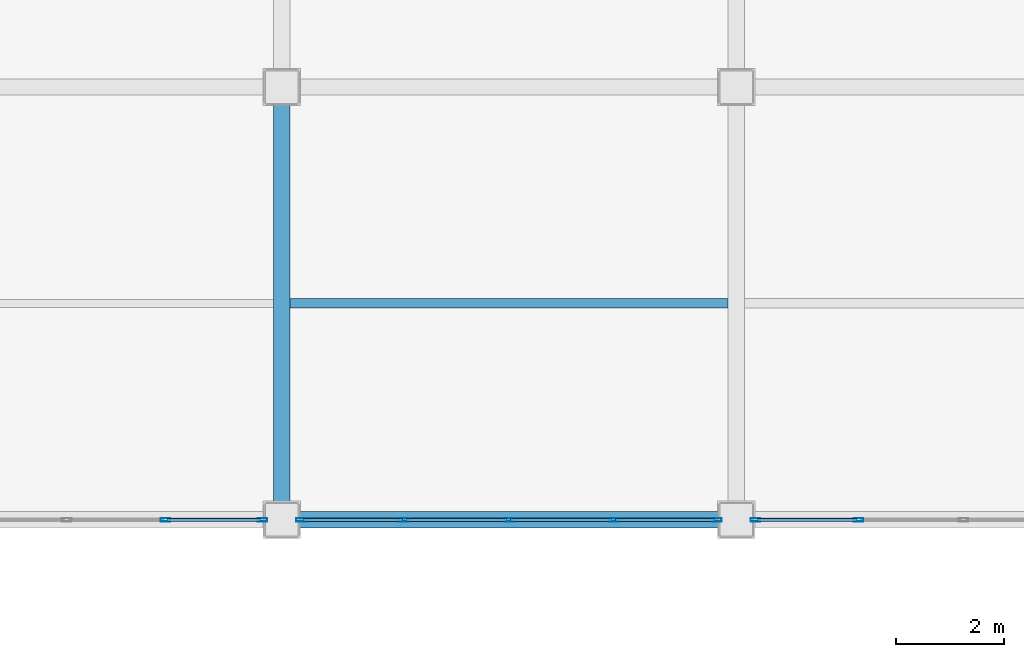
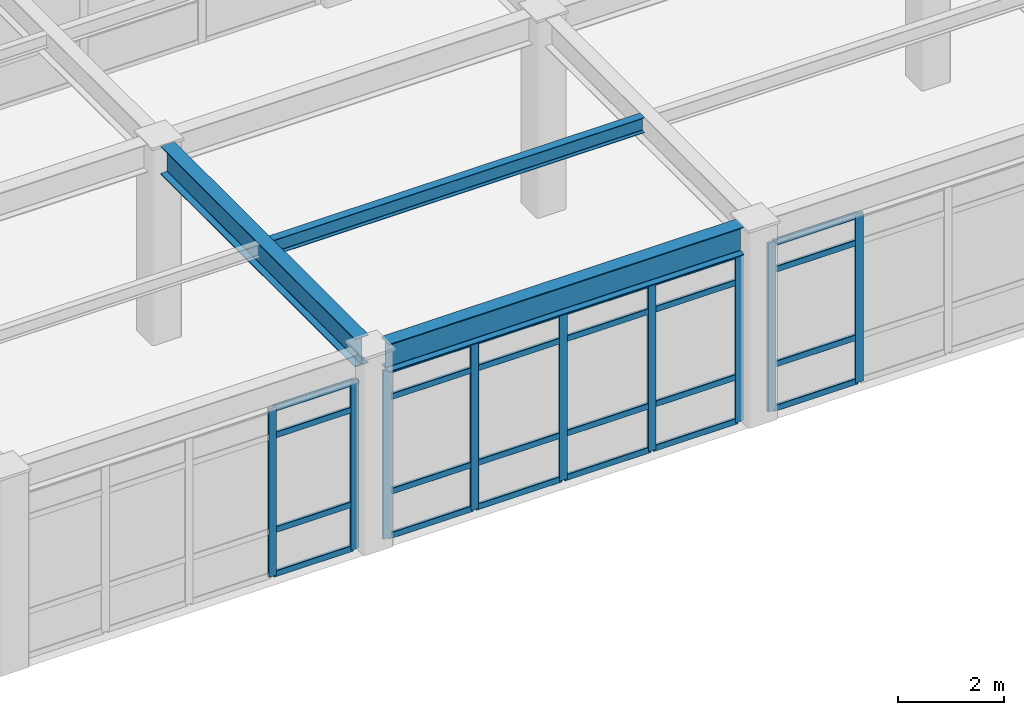
# One storey, part 29 of 93: 33 members, 3 beams, 3 elements without a shape of their own.
"""IFC4 building model written with IfcOpenShell, lengths in metres."""

from ifc_helpers import new_model, si_unit, direction, frame, origin, origin_2d, place, context, subcontext, project, spatial, hollow_rectangle, i_section, extrude, material, layer, layer_set, material_profile, profile_set, type_object, element, aggregate, save


model = new_model("IFC4")

# Units and contexts
model_context = context("Model", 3, precision=1e-05, world=origin(), true_north=direction((0.0, 1.0)))
body_context = subcontext(model_context, "Body", "Model", "MODEL_VIEW")
ifc_project = project(units=[si_unit("LENGTHUNIT", "METRE"), si_unit("AREAUNIT", "SQUARE_METRE"), si_unit("VOLUMEUNIT", "CUBIC_METRE"), si_unit("PLANEANGLEUNIT", "RADIAN"), si_unit("MASSUNIT", "GRAM", prefix="KILO")], contexts=[model_context])

# Site, building, storey
site_placement = place(None, origin())
site = spatial("IfcSite", under=ifc_project, at=site_placement, CompositionType="ELEMENT")
building_placement = place(site_placement, origin())
building = spatial("IfcBuilding", under=site, at=building_placement, Name="Kazehara Bluff Congress Hotel", CompositionType="ELEMENT")
storey_placement = place(building_placement, frame((0.0, 0.0, 15.0)))
storey = spatial("IfcBuildingStorey", under=building, at=storey_placement, Name="L03", CompositionType="ELEMENT", Elevation=15.0)

# Curtain wall, members
ifc_material_1 = material(Name="Anodised aluminium", Category="aluminium")
ifc_layer_1 = layer(ifc_material_1, 0.159912109375)
ifc_layer_set_1 = layer_set([ifc_layer_1], Name="Anodised aluminium")
curtain_wall_type_1 = type_object("IfcCurtainWallType", Name="TP-CW-80", PredefinedType="NOTDEFINED", material=ifc_layer_set_1)
curtain_wall_1_placement = place(storey_placement, origin())
curtain_wall_1 = element("IfcCurtainWall", 1, at=curtain_wall_1_placement, inside=storey, type_object=curtain_wall_type_1, Name="L03 curtain wall CW-80 CW-V5-L03-Y1600-11088", PredefinedType="NOTDEFINED")
ifc_material_2 = material(Name="Anodised aluminium", Category="aluminium")
ifc_material_profile_1 = material_profile(ifc_material_2, hollow_rectangle(XDim=0.06494140625, YDim=0.179931640625, WallThickness=0.00390625, InnerFilletRadius=0.00390625, OuterFilletRadius=0.008056640625, at=origin_2d()))
ifc_profile_set_1 = profile_set([ifc_material_profile_1], Name="Anodised aluminium")
member_type_1 = type_object("IfcMemberType", Name="TP-CWM-02", PredefinedType="MULLION", material=ifc_profile_set_1)
member_1_placement = place(storey_placement, frame((116.35009765625, 16.0, 0.0), z_axis=(0.0, 0.0, 1.0), x_axis=(0.0, 1.0, 0.0)))
member_1 = element("IfcMember", 2, at=member_1_placement, type_object=member_type_1, Name="CW-80 mullion 4", PredefinedType="MULLION", context=body_context, shape_type="SweptSolid", body=[
    extrude(hollow_rectangle(XDim=0.06494140625, YDim=0.179931640625, WallThickness=0.00390625, InnerFilletRadius=0.00390625, OuterFilletRadius=0.008056640625, at=origin_2d()), origin(), (0.0, 0.0, 1.0), 3.885009765625),
])
member_2_placement = place(storey_placement, frame((118.142578125, 16.0, 0.0), z_axis=(0.0, 0.0, 1.0), x_axis=(0.0, 1.0, 0.0)))
member_2 = element("IfcMember", 3, at=member_2_placement, type_object=member_type_1, Name="CW-80 mullion 5", PredefinedType="MULLION", context=body_context, shape_type="SweptSolid", body=[
    extrude(hollow_rectangle(XDim=0.06494140625, YDim=0.179931640625, WallThickness=0.00390625, InnerFilletRadius=0.00390625, OuterFilletRadius=0.008056640625, at=origin_2d()), origin(), (0.0, 0.0, 1.0), 3.885009765625),
])

ifc_material_3 = material(Name="Anodised aluminium", Category="aluminium")
ifc_layer_2 = layer(ifc_material_3, 0.159912109375)
ifc_layer_set_2 = layer_set([ifc_layer_2], Name="Anodised aluminium")
curtain_wall_type_2 = type_object("IfcCurtainWallType", Name="TP-CW-24", PredefinedType="NOTDEFINED", material=ifc_layer_set_2)
curtain_wall_2_placement = place(storey_placement, origin())
curtain_wall_2 = element("IfcCurtainWall", 4, at=curtain_wall_2_placement, inside=storey, type_object=curtain_wall_type_2, Name="L03 curtain wall CW-24 CW-V5-L03-Y1600-11882", PredefinedType="NOTDEFINED")
member_3_placement = place(storey_placement, frame((118.857421875, 16.0, 0.0), z_axis=(0.0, 0.0, 1.0), x_axis=(0.0, 1.0, 0.0)))
member_3 = element("IfcMember", 5, at=member_3_placement, type_object=member_type_1, Name="CW-24 mullion 1", PredefinedType="MULLION", context=body_context, shape_type="SweptSolid", body=[
    extrude(hollow_rectangle(XDim=0.06494140625, YDim=0.179931640625, WallThickness=0.00390625, InnerFilletRadius=0.00390625, OuterFilletRadius=0.008056640625, at=origin_2d()), origin(), (0.0, 0.0, 1.0), 3.885009765625),
])
member_4_placement = place(storey_placement, frame((120.762451171875, 16.0, 0.0), z_axis=(0.0, 0.0, 1.0), x_axis=(0.0, 1.0, 0.0)))
member_4 = element("IfcMember", 6, at=member_4_placement, type_object=member_type_1, Name="CW-24 mullion 2", PredefinedType="MULLION", context=body_context, shape_type="SweptSolid", body=[
    extrude(hollow_rectangle(XDim=0.06494140625, YDim=0.179931640625, WallThickness=0.00390625, InnerFilletRadius=0.00390625, OuterFilletRadius=0.008056640625, at=origin_2d()), origin(), (0.0, 0.0, 1.0), 3.885009765625),
])
member_5_placement = place(storey_placement, frame((122.699951171875, 16.0, 0.0), z_axis=(0.0, 0.0, 1.0), x_axis=(0.0, 1.0, 0.0)))
member_5 = element("IfcMember", 7, at=member_5_placement, type_object=member_type_1, Name="CW-24 mullion 3", PredefinedType="MULLION", context=body_context, shape_type="SweptSolid", body=[
    extrude(hollow_rectangle(XDim=0.06494140625, YDim=0.179931640625, WallThickness=0.00390625, InnerFilletRadius=0.00390625, OuterFilletRadius=0.008056640625, at=origin_2d()), origin(), (0.0, 0.0, 1.0), 3.885009765625),
])
member_6_placement = place(storey_placement, frame((124.637451171875, 16.0, 0.0), z_axis=(0.0, 0.0, 1.0), x_axis=(0.0, 1.0, 0.0)))
member_6 = element("IfcMember", 8, at=member_6_placement, type_object=member_type_1, Name="CW-24 mullion 4", PredefinedType="MULLION", context=body_context, shape_type="SweptSolid", body=[
    extrude(hollow_rectangle(XDim=0.06494140625, YDim=0.179931640625, WallThickness=0.00390625, InnerFilletRadius=0.00390625, OuterFilletRadius=0.008056640625, at=origin_2d()), origin(), (0.0, 0.0, 1.0), 3.885009765625),
])
member_7_placement = place(storey_placement, frame((126.54248046875, 16.0, 0.0), z_axis=(0.0, 0.0, 1.0), x_axis=(0.0, 1.0, 0.0)))
member_7 = element("IfcMember", 9, at=member_7_placement, type_object=member_type_1, Name="CW-24 mullion 5", PredefinedType="MULLION", context=body_context, shape_type="SweptSolid", body=[
    extrude(hollow_rectangle(XDim=0.06494140625, YDim=0.179931640625, WallThickness=0.00390625, InnerFilletRadius=0.00390625, OuterFilletRadius=0.008056640625, at=origin_2d()), origin(), (0.0, 0.0, 1.0), 3.885009765625),
])

curtain_wall_3_placement = place(storey_placement, origin())
curtain_wall_3 = element("IfcCurtainWall", 10, at=curtain_wall_3_placement, inside=storey, type_object=curtain_wall_type_2, Name="L03 curtain wall CW-24 CW-V5-L03-Y1600-12722", PredefinedType="NOTDEFINED")
member_8_placement = place(storey_placement, frame((127.257568359375, 16.0, 0.0), z_axis=(0.0, 0.0, 1.0), x_axis=(0.0, 1.0, 0.0)))
member_8 = element("IfcMember", 11, at=member_8_placement, type_object=member_type_1, Name="CW-24 mullion 1", PredefinedType="MULLION", context=body_context, shape_type="SweptSolid", body=[
    extrude(hollow_rectangle(XDim=0.06494140625, YDim=0.179931640625, WallThickness=0.00390625, InnerFilletRadius=0.00390625, OuterFilletRadius=0.008056640625, at=origin_2d()), origin(), (0.0, 0.0, 1.0), 3.885009765625),
])
member_9_placement = place(storey_placement, frame((129.16259765625, 16.0, 0.0), z_axis=(0.0, 0.0, 1.0), x_axis=(0.0, 1.0, 0.0)))
member_9 = element("IfcMember", 12, at=member_9_placement, type_object=member_type_1, Name="CW-24 mullion 2", PredefinedType="MULLION", context=body_context, shape_type="SweptSolid", body=[
    extrude(hollow_rectangle(XDim=0.06494140625, YDim=0.179931640625, WallThickness=0.00390625, InnerFilletRadius=0.00390625, OuterFilletRadius=0.008056640625, at=origin_2d()), origin(), (0.0, 0.0, 1.0), 3.885009765625),
])

# Member
ifc_material_4 = material(Name="Anodised aluminium", Category="aluminium")
ifc_material_profile_2 = material_profile(ifc_material_4, hollow_rectangle(XDim=0.06494140625, YDim=0.139892578125, WallThickness=0.00390625, InnerFilletRadius=0.00390625, OuterFilletRadius=0.008056640625, at=origin_2d()))
ifc_profile_set_2 = profile_set([ifc_material_profile_2], Name="Anodised aluminium")
member_type_2 = type_object("IfcMemberType", Name="TP-CWT-02", PredefinedType="USERDEFINED", material=ifc_profile_set_2)
member_10_placement = place(storey_placement, frame((116.382568359375, 16.0, 0.032470703125), z_axis=(1.0, 0.0, 0.0), x_axis=(0.0, 1.0, 0.0)))
member_10 = element("IfcMember", 13, at=member_10_placement, type_object=member_type_2, Name="CW-80 transom 4.1", ObjectType="TRANSOM", PredefinedType="USERDEFINED", context=body_context, shape_type="SweptSolid", body=[
    extrude(hollow_rectangle(XDim=0.06494140625, YDim=0.139892578125, WallThickness=0.00390625, InnerFilletRadius=0.00390625, OuterFilletRadius=0.008056640625, at=origin_2d()), origin(), (0.0, 0.0, 1.0), 1.7275390625),
])

member_11_placement = place(storey_placement, frame((116.382568359375, 16.0, 1.050048828125), z_axis=(1.0, 0.0, 0.0), x_axis=(0.0, 1.0, 0.0)))
member_11 = element("IfcMember", 14, at=member_11_placement, type_object=member_type_2, Name="CW-80 transom 4.2", ObjectType="TRANSOM", PredefinedType="USERDEFINED", context=body_context, shape_type="SweptSolid", body=[
    extrude(hollow_rectangle(XDim=0.06494140625, YDim=0.139892578125, WallThickness=0.00390625, InnerFilletRadius=0.00390625, OuterFilletRadius=0.008056640625, at=origin_2d()), origin(), (0.0, 0.0, 1.0), 1.7275390625),
])

member_12_placement = place(storey_placement, frame((116.382568359375, 16.0, 3.235107421875), z_axis=(1.0, 0.0, 0.0), x_axis=(0.0, 1.0, 0.0)))
member_12 = element("IfcMember", 15, at=member_12_placement, type_object=member_type_2, Name="CW-80 transom 4.3", ObjectType="TRANSOM", PredefinedType="USERDEFINED", context=body_context, shape_type="SweptSolid", body=[
    extrude(hollow_rectangle(XDim=0.06494140625, YDim=0.139892578125, WallThickness=0.00390625, InnerFilletRadius=0.00390625, OuterFilletRadius=0.008056640625, at=origin_2d()), origin(), (0.0, 0.0, 1.0), 1.7275390625),
])

member_13_placement = place(storey_placement, frame((116.382568359375, 16.0, 3.8525390625), z_axis=(1.0, 0.0, 0.0), x_axis=(0.0, 1.0, 0.0)))
member_13 = element("IfcMember", 16, at=member_13_placement, type_object=member_type_2, Name="CW-80 transom 4.4", ObjectType="TRANSOM", PredefinedType="USERDEFINED", context=body_context, shape_type="SweptSolid", body=[
    extrude(hollow_rectangle(XDim=0.06494140625, YDim=0.139892578125, WallThickness=0.00390625, InnerFilletRadius=0.00390625, OuterFilletRadius=0.008056640625, at=origin_2d()), origin(), (0.0, 0.0, 1.0), 1.7275390625),
])

aggregate(curtain_wall_1, [member_1, member_2, member_10, member_11, member_12, member_13])

member_14_placement = place(storey_placement, frame((118.889892578125, 16.0, 0.032470703125), z_axis=(1.0, 0.0, 0.0), x_axis=(0.0, 1.0, 0.0)))
member_14 = element("IfcMember", 17, at=member_14_placement, type_object=member_type_2, Name="CW-24 transom 1.1", ObjectType="TRANSOM", PredefinedType="USERDEFINED", context=body_context, shape_type="SweptSolid", body=[
    extrude(hollow_rectangle(XDim=0.06494140625, YDim=0.139892578125, WallThickness=0.00390625, InnerFilletRadius=0.00390625, OuterFilletRadius=0.008056640625, at=origin_2d()), origin(), (0.0, 0.0, 1.0), 1.840087890625),
])

member_15_placement = place(storey_placement, frame((118.889892578125, 16.0, 1.050048828125), z_axis=(1.0, 0.0, 0.0), x_axis=(0.0, 1.0, 0.0)))
member_15 = element("IfcMember", 18, at=member_15_placement, type_object=member_type_2, Name="CW-24 transom 1.2", ObjectType="TRANSOM", PredefinedType="USERDEFINED", context=body_context, shape_type="SweptSolid", body=[
    extrude(hollow_rectangle(XDim=0.06494140625, YDim=0.139892578125, WallThickness=0.00390625, InnerFilletRadius=0.00390625, OuterFilletRadius=0.008056640625, at=origin_2d()), origin(), (0.0, 0.0, 1.0), 1.840087890625),
])

member_16_placement = place(storey_placement, frame((118.889892578125, 16.0, 3.235107421875), z_axis=(1.0, 0.0, 0.0), x_axis=(0.0, 1.0, 0.0)))
member_16 = element("IfcMember", 19, at=member_16_placement, type_object=member_type_2, Name="CW-24 transom 1.3", ObjectType="TRANSOM", PredefinedType="USERDEFINED", context=body_context, shape_type="SweptSolid", body=[
    extrude(hollow_rectangle(XDim=0.06494140625, YDim=0.139892578125, WallThickness=0.00390625, InnerFilletRadius=0.00390625, OuterFilletRadius=0.008056640625, at=origin_2d()), origin(), (0.0, 0.0, 1.0), 1.840087890625),
])

member_17_placement = place(storey_placement, frame((118.889892578125, 16.0, 3.8525390625), z_axis=(1.0, 0.0, 0.0), x_axis=(0.0, 1.0, 0.0)))
member_17 = element("IfcMember", 20, at=member_17_placement, type_object=member_type_2, Name="CW-24 transom 1.4", ObjectType="TRANSOM", PredefinedType="USERDEFINED", context=body_context, shape_type="SweptSolid", body=[
    extrude(hollow_rectangle(XDim=0.06494140625, YDim=0.139892578125, WallThickness=0.00390625, InnerFilletRadius=0.00390625, OuterFilletRadius=0.008056640625, at=origin_2d()), origin(), (0.0, 0.0, 1.0), 1.840087890625),
])

member_18_placement = place(storey_placement, frame((120.794921875, 16.0, 0.032470703125), z_axis=(1.0, 0.0, 0.0), x_axis=(0.0, 1.0, 0.0)))
member_18 = element("IfcMember", 21, at=member_18_placement, type_object=member_type_2, Name="CW-24 transom 2.1", ObjectType="TRANSOM", PredefinedType="USERDEFINED", context=body_context, shape_type="SweptSolid", body=[
    extrude(hollow_rectangle(XDim=0.06494140625, YDim=0.139892578125, WallThickness=0.00390625, InnerFilletRadius=0.00390625, OuterFilletRadius=0.008056640625, at=origin_2d()), origin(), (0.0, 0.0, 1.0), 1.87255859375),
])

member_19_placement = place(storey_placement, frame((120.794921875, 16.0, 1.050048828125), z_axis=(1.0, 0.0, 0.0), x_axis=(0.0, 1.0, 0.0)))
member_19 = element("IfcMember", 22, at=member_19_placement, type_object=member_type_2, Name="CW-24 transom 2.2", ObjectType="TRANSOM", PredefinedType="USERDEFINED", context=body_context, shape_type="SweptSolid", body=[
    extrude(hollow_rectangle(XDim=0.06494140625, YDim=0.139892578125, WallThickness=0.00390625, InnerFilletRadius=0.00390625, OuterFilletRadius=0.008056640625, at=origin_2d()), origin(), (0.0, 0.0, 1.0), 1.87255859375),
])

member_20_placement = place(storey_placement, frame((120.794921875, 16.0, 3.235107421875), z_axis=(1.0, 0.0, 0.0), x_axis=(0.0, 1.0, 0.0)))
member_20 = element("IfcMember", 23, at=member_20_placement, type_object=member_type_2, Name="CW-24 transom 2.3", ObjectType="TRANSOM", PredefinedType="USERDEFINED", context=body_context, shape_type="SweptSolid", body=[
    extrude(hollow_rectangle(XDim=0.06494140625, YDim=0.139892578125, WallThickness=0.00390625, InnerFilletRadius=0.00390625, OuterFilletRadius=0.008056640625, at=origin_2d()), origin(), (0.0, 0.0, 1.0), 1.87255859375),
])

member_21_placement = place(storey_placement, frame((120.794921875, 16.0, 3.8525390625), z_axis=(1.0, 0.0, 0.0), x_axis=(0.0, 1.0, 0.0)))
member_21 = element("IfcMember", 24, at=member_21_placement, type_object=member_type_2, Name="CW-24 transom 2.4", ObjectType="TRANSOM", PredefinedType="USERDEFINED", context=body_context, shape_type="SweptSolid", body=[
    extrude(hollow_rectangle(XDim=0.06494140625, YDim=0.139892578125, WallThickness=0.00390625, InnerFilletRadius=0.00390625, OuterFilletRadius=0.008056640625, at=origin_2d()), origin(), (0.0, 0.0, 1.0), 1.87255859375),
])

member_22_placement = place(storey_placement, frame((122.732421875, 16.0, 0.032470703125), z_axis=(1.0, 0.0, 0.0), x_axis=(0.0, 1.0, 0.0)))
member_22 = element("IfcMember", 25, at=member_22_placement, type_object=member_type_2, Name="CW-24 transom 3.1", ObjectType="TRANSOM", PredefinedType="USERDEFINED", context=body_context, shape_type="SweptSolid", body=[
    extrude(hollow_rectangle(XDim=0.06494140625, YDim=0.139892578125, WallThickness=0.00390625, InnerFilletRadius=0.00390625, OuterFilletRadius=0.008056640625, at=origin_2d()), origin(), (0.0, 0.0, 1.0), 1.87255859375),
])

member_23_placement = place(storey_placement, frame((122.732421875, 16.0, 1.050048828125), z_axis=(1.0, 0.0, 0.0), x_axis=(0.0, 1.0, 0.0)))
member_23 = element("IfcMember", 26, at=member_23_placement, type_object=member_type_2, Name="CW-24 transom 3.2", ObjectType="TRANSOM", PredefinedType="USERDEFINED", context=body_context, shape_type="SweptSolid", body=[
    extrude(hollow_rectangle(XDim=0.06494140625, YDim=0.139892578125, WallThickness=0.00390625, InnerFilletRadius=0.00390625, OuterFilletRadius=0.008056640625, at=origin_2d()), origin(), (0.0, 0.0, 1.0), 1.87255859375),
])

member_24_placement = place(storey_placement, frame((122.732421875, 16.0, 3.235107421875), z_axis=(1.0, 0.0, 0.0), x_axis=(0.0, 1.0, 0.0)))
member_24 = element("IfcMember", 27, at=member_24_placement, type_object=member_type_2, Name="CW-24 transom 3.3", ObjectType="TRANSOM", PredefinedType="USERDEFINED", context=body_context, shape_type="SweptSolid", body=[
    extrude(hollow_rectangle(XDim=0.06494140625, YDim=0.139892578125, WallThickness=0.00390625, InnerFilletRadius=0.00390625, OuterFilletRadius=0.008056640625, at=origin_2d()), origin(), (0.0, 0.0, 1.0), 1.87255859375),
])

member_25_placement = place(storey_placement, frame((122.732421875, 16.0, 3.8525390625), z_axis=(1.0, 0.0, 0.0), x_axis=(0.0, 1.0, 0.0)))
member_25 = element("IfcMember", 28, at=member_25_placement, type_object=member_type_2, Name="CW-24 transom 3.4", ObjectType="TRANSOM", PredefinedType="USERDEFINED", context=body_context, shape_type="SweptSolid", body=[
    extrude(hollow_rectangle(XDim=0.06494140625, YDim=0.139892578125, WallThickness=0.00390625, InnerFilletRadius=0.00390625, OuterFilletRadius=0.008056640625, at=origin_2d()), origin(), (0.0, 0.0, 1.0), 1.87255859375),
])

member_26_placement = place(storey_placement, frame((124.669921875, 16.0, 0.032470703125), z_axis=(1.0, 0.0, 0.0), x_axis=(0.0, 1.0, 0.0)))
member_26 = element("IfcMember", 29, at=member_26_placement, type_object=member_type_2, Name="CW-24 transom 4.1", ObjectType="TRANSOM", PredefinedType="USERDEFINED", context=body_context, shape_type="SweptSolid", body=[
    extrude(hollow_rectangle(XDim=0.06494140625, YDim=0.139892578125, WallThickness=0.00390625, InnerFilletRadius=0.00390625, OuterFilletRadius=0.008056640625, at=origin_2d()), origin(), (0.0, 0.0, 1.0), 1.840087890625),
])

member_27_placement = place(storey_placement, frame((124.669921875, 16.0, 1.050048828125), z_axis=(1.0, 0.0, 0.0), x_axis=(0.0, 1.0, 0.0)))
member_27 = element("IfcMember", 30, at=member_27_placement, type_object=member_type_2, Name="CW-24 transom 4.2", ObjectType="TRANSOM", PredefinedType="USERDEFINED", context=body_context, shape_type="SweptSolid", body=[
    extrude(hollow_rectangle(XDim=0.06494140625, YDim=0.139892578125, WallThickness=0.00390625, InnerFilletRadius=0.00390625, OuterFilletRadius=0.008056640625, at=origin_2d()), origin(), (0.0, 0.0, 1.0), 1.840087890625),
])

member_28_placement = place(storey_placement, frame((124.669921875, 16.0, 3.235107421875), z_axis=(1.0, 0.0, 0.0), x_axis=(0.0, 1.0, 0.0)))
member_28 = element("IfcMember", 31, at=member_28_placement, type_object=member_type_2, Name="CW-24 transom 4.3", ObjectType="TRANSOM", PredefinedType="USERDEFINED", context=body_context, shape_type="SweptSolid", body=[
    extrude(hollow_rectangle(XDim=0.06494140625, YDim=0.139892578125, WallThickness=0.00390625, InnerFilletRadius=0.00390625, OuterFilletRadius=0.008056640625, at=origin_2d()), origin(), (0.0, 0.0, 1.0), 1.840087890625),
])

member_29_placement = place(storey_placement, frame((124.669921875, 16.0, 3.8525390625), z_axis=(1.0, 0.0, 0.0), x_axis=(0.0, 1.0, 0.0)))
member_29 = element("IfcMember", 32, at=member_29_placement, type_object=member_type_2, Name="CW-24 transom 4.4", ObjectType="TRANSOM", PredefinedType="USERDEFINED", context=body_context, shape_type="SweptSolid", body=[
    extrude(hollow_rectangle(XDim=0.06494140625, YDim=0.139892578125, WallThickness=0.00390625, InnerFilletRadius=0.00390625, OuterFilletRadius=0.008056640625, at=origin_2d()), origin(), (0.0, 0.0, 1.0), 1.840087890625),
])

aggregate(curtain_wall_2, [member_3, member_4, member_5, member_6, member_7, member_14, member_15, member_16, member_17, member_18, member_19, member_20, member_21, member_22, member_23, member_24, member_25, member_26, member_27, member_28, member_29])

member_30_placement = place(storey_placement, frame((127.2900390625, 16.0, 0.032470703125), z_axis=(1.0, 0.0, 0.0), x_axis=(0.0, 1.0, 0.0)))
member_30 = element("IfcMember", 33, at=member_30_placement, type_object=member_type_2, Name="CW-24 transom 1.1", ObjectType="TRANSOM", PredefinedType="USERDEFINED", context=body_context, shape_type="SweptSolid", body=[
    extrude(hollow_rectangle(XDim=0.06494140625, YDim=0.139892578125, WallThickness=0.00390625, InnerFilletRadius=0.00390625, OuterFilletRadius=0.008056640625, at=origin_2d()), origin(), (0.0, 0.0, 1.0), 1.83984375),
])

member_31_placement = place(storey_placement, frame((127.2900390625, 16.0, 1.050048828125), z_axis=(1.0, 0.0, 0.0), x_axis=(0.0, 1.0, 0.0)))
member_31 = element("IfcMember", 34, at=member_31_placement, type_object=member_type_2, Name="CW-24 transom 1.2", ObjectType="TRANSOM", PredefinedType="USERDEFINED", context=body_context, shape_type="SweptSolid", body=[
    extrude(hollow_rectangle(XDim=0.06494140625, YDim=0.139892578125, WallThickness=0.00390625, InnerFilletRadius=0.00390625, OuterFilletRadius=0.008056640625, at=origin_2d()), origin(), (0.0, 0.0, 1.0), 1.83984375),
])

member_32_placement = place(storey_placement, frame((127.2900390625, 16.0, 3.235107421875), z_axis=(1.0, 0.0, 0.0), x_axis=(0.0, 1.0, 0.0)))
member_32 = element("IfcMember", 35, at=member_32_placement, type_object=member_type_2, Name="CW-24 transom 1.3", ObjectType="TRANSOM", PredefinedType="USERDEFINED", context=body_context, shape_type="SweptSolid", body=[
    extrude(hollow_rectangle(XDim=0.06494140625, YDim=0.139892578125, WallThickness=0.00390625, InnerFilletRadius=0.00390625, OuterFilletRadius=0.008056640625, at=origin_2d()), origin(), (0.0, 0.0, 1.0), 1.83984375),
])

member_33_placement = place(storey_placement, frame((127.2900390625, 16.0, 3.8525390625), z_axis=(1.0, 0.0, 0.0), x_axis=(0.0, 1.0, 0.0)))
member_33 = element("IfcMember", 36, at=member_33_placement, type_object=member_type_2, Name="CW-24 transom 1.4", ObjectType="TRANSOM", PredefinedType="USERDEFINED", context=body_context, shape_type="SweptSolid", body=[
    extrude(hollow_rectangle(XDim=0.06494140625, YDim=0.139892578125, WallThickness=0.00390625, InnerFilletRadius=0.00390625, OuterFilletRadius=0.008056640625, at=origin_2d()), origin(), (0.0, 0.0, 1.0), 1.83984375),
])

aggregate(curtain_wall_3, [member_8, member_9, member_30, member_31, member_32, member_33])

# Beams
ifc_material_5 = material(Name="Steel SN490B", Category="steel")
ifc_material_profile_3 = material_profile(ifc_material_5, i_section(OverallWidth=0.300048828125, OverallDepth=0.64990234375, WebThickness=0.011962890625, FlangeThickness=0.02001953125, FilletRadius=0.012939453125, at=origin_2d()))
ifc_profile_set_3 = profile_set([ifc_material_profile_3], Name="Steel SN490B")
beam_type_1 = type_object("IfcBeamType", Name="TP-G-03", PredefinedType="BEAM", material=ifc_profile_set_3)
beam_1_placement = place(storey_placement, frame((118.5, 16.324951171875, 4.235107421875), z_axis=(0.0, 1.0, 0.0), x_axis=(-1.0, 0.0, 0.0)))
element("IfcBeam", 37, at=beam_1_placement, inside=storey, type_object=beam_type_1, Name="L03 girder G-03 103", PredefinedType="BEAM", context=body_context, shape_type="SweptSolid", body=[
    extrude(i_section(OverallWidth=0.300048828125, OverallDepth=0.64990234375, WebThickness=0.011962890625, FlangeThickness=0.02001953125, FilletRadius=0.012939453125, at=origin_2d()), origin(), (0.0, 0.0, 1.0), 7.35009765625),
])
beam_2_placement = place(storey_placement, frame((118.824951171875, 16.0, 4.235107421875), z_axis=(1.0, 0.0, 0.0), x_axis=(0.0, 1.0, 0.0)))
element("IfcBeam", 38, at=beam_2_placement, inside=storey, type_object=beam_type_1, Name="L03 girder G-03 158", PredefinedType="BEAM", context=body_context, shape_type="SweptSolid", body=[
    extrude(i_section(OverallWidth=0.300048828125, OverallDepth=0.64990234375, WebThickness=0.011962890625, FlangeThickness=0.02001953125, FilletRadius=0.012939453125, at=origin_2d()), origin(), (0.0, 0.0, 1.0), 7.75),
])
ifc_material_6 = material(Name="Steel SN400B", Category="steel")
ifc_material_profile_4 = material_profile(ifc_material_6, i_section(OverallWidth=0.175048828125, OverallDepth=0.35009765625, WebThickness=0.007080078125, FlangeThickness=0.010986328125, FilletRadius=0.012939453125, at=origin_2d()))
ifc_profile_set_4 = profile_set([ifc_material_profile_4], Name="Steel SN400B")
beam_type_2 = type_object("IfcBeamType", Name="TP-J-02", PredefinedType="JOIST", material=ifc_profile_set_4)
beam_3_placement = place(storey_placement, frame((118.64990234375, 20.0, 4.385009765625), z_axis=(1.0, 0.0, 0.0), x_axis=(0.0, 1.0, 0.0)))
element("IfcBeam", 39, at=beam_3_placement, inside=storey, type_object=beam_type_2, Name="L03 secondary joist J-02 24", PredefinedType="JOIST", context=body_context, shape_type="SweptSolid", body=[
    extrude(i_section(OverallWidth=0.175048828125, OverallDepth=0.35009765625, WebThickness=0.007080078125, FlangeThickness=0.010986328125, FilletRadius=0.012939453125, at=origin_2d()), origin(), (0.0, 0.0, 1.0), 8.10009765625),
])

save(model, "model.ifc")
